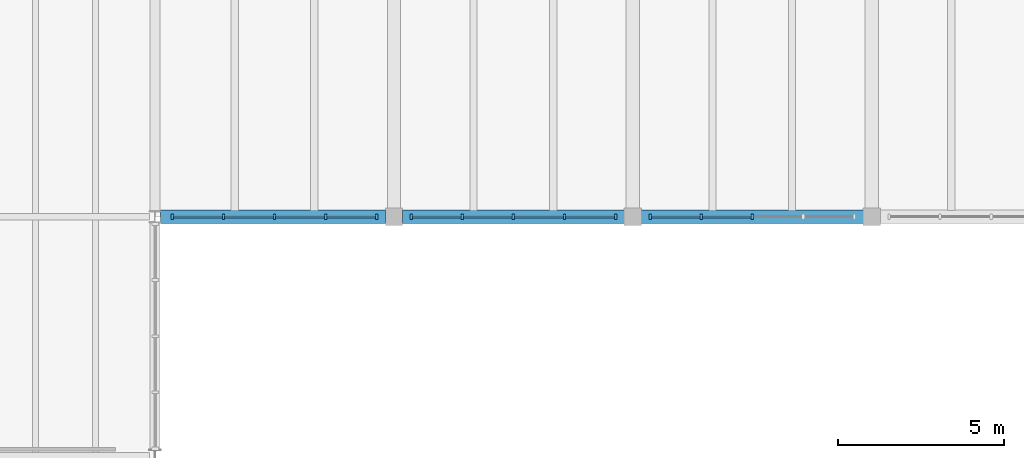
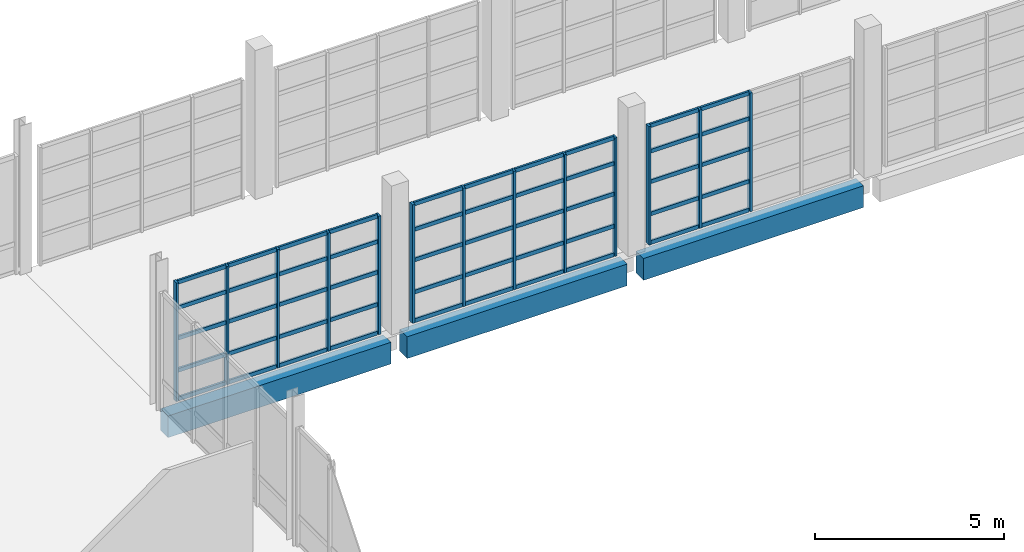
# One storey, part 38 of 77: 63 members, 3 beams, 3 elements without a shape of their own.
"""IFC4 building model written with IfcOpenShell, lengths in metres."""

from ifc_helpers import new_model, si_unit, direction, frame, origin, origin_2d, place, context, subcontext, project, spatial, rectangle, extrude, material, material_profile, profile_set, type_object, element, aggregate, save


model = new_model("IFC4")

# Units and contexts
model_context = context("Model", 3, precision=1e-05, world=origin(), true_north=direction((0.0, 1.0)))
body_context = subcontext(model_context, "Body", "Model", "MODEL_VIEW")
ifc_project = project(units=[si_unit("LENGTHUNIT", "METRE"), si_unit("AREAUNIT", "SQUARE_METRE"), si_unit("VOLUMEUNIT", "CUBIC_METRE"), si_unit("PLANEANGLEUNIT", "RADIAN"), si_unit("MASSUNIT", "GRAM", prefix="KILO")], contexts=[model_context])

# Site, building, storey
site_placement = place(None, origin())
site = spatial("IfcSite", under=ifc_project, at=site_placement, CompositionType="ELEMENT")
building_placement = place(site_placement, origin())
building = spatial("IfcBuilding", under=site, at=building_placement, Name="Qiaolan Assembly House", CompositionType="ELEMENT")
storey_placement = place(building_placement, frame((0.0, 0.0, 5.39990234375)))
storey = spatial("IfcBuildingStorey", under=building, at=storey_placement, Name="L01", CompositionType="ELEMENT", Elevation=5.39990234375)

# Beams
ifc_material_1 = material(Name="Concrete C40/50", Category="concrete")
ifc_material_profile_1 = material_profile(ifc_material_1, rectangle(XDim=0.39990234375, YDim=0.699951171875, at=origin_2d()), Name="RCB 400x700")
ifc_profile_set_1 = profile_set([ifc_material_profile_1], Name="Concrete C40/50")
beam_type = type_object("IfcBeamType", Name="BM-RC-400x700", PredefinedType="BEAM", material=ifc_profile_set_1)
beam_1_placement = place(storey_placement, frame((108.1650390625, 79.199951171875, -0.619873046875), z_axis=(1.0, 0.0, 0.0), x_axis=(0.0, 1.0, 0.0)))
element("IfcBeam", 1, at=beam_1_placement, inside=storey, type_object=beam_type, Name="GB-05 beam BMX-CLN-L01-00-00", PredefinedType="BEAM", context=body_context, shape_type="SweptSolid", body=[
    extrude(rectangle(XDim=0.39990234375, YDim=0.699951171875, at=origin_2d()), origin(), (0.0, 0.0, 1.0), 6.784912109375),
])
beam_2_placement = place(storey_placement, frame((115.449951171875, 79.199951171875, -0.619873046875), z_axis=(1.0, 0.0, 0.0), x_axis=(0.0, 1.0, 0.0)))
element("IfcBeam", 2, at=beam_2_placement, inside=storey, type_object=beam_type, Name="GB-05 beam BMX-CLN-L01-01-00", PredefinedType="BEAM", context=body_context, shape_type="SweptSolid", body=[
    extrude(rectangle(XDim=0.39990234375, YDim=0.699951171875, at=origin_2d()), origin(), (0.0, 0.0, 1.0), 6.699951171875),
])
beam_3_placement = place(storey_placement, frame((122.64990234375, 79.199951171875, -0.619873046875), z_axis=(1.0, 0.0, 0.0), x_axis=(0.0, 1.0, 0.0)))
element("IfcBeam", 3, at=beam_3_placement, inside=storey, type_object=beam_type, Name="GB-05 beam BMX-CLN-L01-02-00", PredefinedType="BEAM", context=body_context, shape_type="SweptSolid", body=[
    extrude(rectangle(XDim=0.39990234375, YDim=0.699951171875, at=origin_2d()), origin(), (0.0, 0.0, 1.0), 6.7001953125),
])

# Curtain wall, members
ifc_material_2 = material(Name="Anodised bronze aluminium", Category="aluminium")
curtain_wall_type = type_object("IfcCurtainWallType", Name="CW-CLOISTER-420", PredefinedType="NOTDEFINED", material=ifc_material_2)
curtain_wall_1_placement = place(storey_placement, origin())
curtain_wall_1 = element("IfcCurtainWall", 4, at=curtain_wall_1_placement, inside=storey, type_object=curtain_wall_type, Name="CW-05 North Cloister court arcade L01-1", PredefinedType="NOTDEFINED")
ifc_material_profile_2 = material_profile(ifc_material_2, rectangle(XDim=0.070068359375, YDim=0.155029296875, at=origin_2d()), Name="MUL 70x155")
ifc_profile_set_2 = profile_set([ifc_material_profile_2], Name="Anodised bronze aluminium")
member_type_1 = type_object("IfcMemberType", Name="CW-CLOISTER-420-MUL", PredefinedType="MULLION", material=ifc_profile_set_2)
member_1_placement = place(storey_placement, frame((108.52001953125, 79.199951171875, 0.0), z_axis=(0.0, 0.0, 1.0), x_axis=(1.0, 0.0, 0.0)))
member_1 = element("IfcMember", 5, at=member_1_placement, type_object=member_type_1, Name="ML-06 mullion CW-CLN-CRT-L01-0-1", PredefinedType="MULLION", context=body_context, shape_type="SweptSolid", body=[
    extrude(rectangle(XDim=0.070068359375, YDim=0.155029296875, at=origin_2d()), origin(), (0.0, 0.0, 1.0), 3.820068359375),
])
member_2_placement = place(storey_placement, frame((110.06005859375, 79.199951171875, 0.0), z_axis=(0.0, 0.0, 1.0), x_axis=(1.0, 0.0, 0.0)))
member_2 = element("IfcMember", 6, at=member_2_placement, type_object=member_type_1, Name="ML-06 mullion CW-CLN-CRT-L01-0-2", PredefinedType="MULLION", context=body_context, shape_type="SweptSolid", body=[
    extrude(rectangle(XDim=0.070068359375, YDim=0.155029296875, at=origin_2d()), origin(), (0.0, 0.0, 1.0), 3.820068359375),
])
member_3_placement = place(storey_placement, frame((111.60009765625, 79.199951171875, 0.0), z_axis=(0.0, 0.0, 1.0), x_axis=(1.0, 0.0, 0.0)))
member_3 = element("IfcMember", 7, at=member_3_placement, type_object=member_type_1, Name="ML-06 mullion CW-CLN-CRT-L01-0-3", PredefinedType="MULLION", context=body_context, shape_type="SweptSolid", body=[
    extrude(rectangle(XDim=0.070068359375, YDim=0.155029296875, at=origin_2d()), origin(), (0.0, 0.0, 1.0), 3.820068359375),
])
member_4_placement = place(storey_placement, frame((113.139892578125, 79.199951171875, 0.0), z_axis=(0.0, 0.0, 1.0), x_axis=(1.0, 0.0, 0.0)))
member_4 = element("IfcMember", 8, at=member_4_placement, type_object=member_type_1, Name="ML-06 mullion CW-CLN-CRT-L01-0-4", PredefinedType="MULLION", context=body_context, shape_type="SweptSolid", body=[
    extrude(rectangle(XDim=0.070068359375, YDim=0.155029296875, at=origin_2d()), origin(), (0.0, 0.0, 1.0), 3.820068359375),
])
member_5_placement = place(storey_placement, frame((114.679931640625, 79.199951171875, 0.0), z_axis=(0.0, 0.0, 1.0), x_axis=(1.0, 0.0, 0.0)))
member_5 = element("IfcMember", 9, at=member_5_placement, type_object=member_type_1, Name="ML-06 mullion CW-CLN-CRT-L01-0-5", PredefinedType="MULLION", context=body_context, shape_type="SweptSolid", body=[
    extrude(rectangle(XDim=0.070068359375, YDim=0.155029296875, at=origin_2d()), origin(), (0.0, 0.0, 1.0), 3.820068359375),
])

curtain_wall_2_placement = place(storey_placement, origin())
curtain_wall_2 = element("IfcCurtainWall", 10, at=curtain_wall_2_placement, inside=storey, type_object=curtain_wall_type, Name="CW-05 North Cloister court arcade L01-2", PredefinedType="NOTDEFINED")
member_6_placement = place(storey_placement, frame((115.719970703125, 79.199951171875, 0.0), z_axis=(0.0, 0.0, 1.0), x_axis=(1.0, 0.0, 0.0)))
member_6 = element("IfcMember", 11, at=member_6_placement, type_object=member_type_1, Name="ML-06 mullion CW-CLN-CRT-L01-1-1", PredefinedType="MULLION", context=body_context, shape_type="SweptSolid", body=[
    extrude(rectangle(XDim=0.070068359375, YDim=0.155029296875, at=origin_2d()), origin(), (0.0, 0.0, 1.0), 3.820068359375),
])
member_7_placement = place(storey_placement, frame((117.260009765625, 79.199951171875, 0.0), z_axis=(0.0, 0.0, 1.0), x_axis=(1.0, 0.0, 0.0)))
member_7 = element("IfcMember", 12, at=member_7_placement, type_object=member_type_1, Name="ML-06 mullion CW-CLN-CRT-L01-1-2", PredefinedType="MULLION", context=body_context, shape_type="SweptSolid", body=[
    extrude(rectangle(XDim=0.070068359375, YDim=0.155029296875, at=origin_2d()), origin(), (0.0, 0.0, 1.0), 3.820068359375),
])
member_8_placement = place(storey_placement, frame((118.800048828125, 79.199951171875, 0.0), z_axis=(0.0, 0.0, 1.0), x_axis=(1.0, 0.0, 0.0)))
member_8 = element("IfcMember", 13, at=member_8_placement, type_object=member_type_1, Name="ML-06 mullion CW-CLN-CRT-L01-1-3", PredefinedType="MULLION", context=body_context, shape_type="SweptSolid", body=[
    extrude(rectangle(XDim=0.070068359375, YDim=0.155029296875, at=origin_2d()), origin(), (0.0, 0.0, 1.0), 3.820068359375),
])
member_9_placement = place(storey_placement, frame((120.340087890625, 79.199951171875, 0.0), z_axis=(0.0, 0.0, 1.0), x_axis=(1.0, 0.0, 0.0)))
member_9 = element("IfcMember", 14, at=member_9_placement, type_object=member_type_1, Name="ML-06 mullion CW-CLN-CRT-L01-1-4", PredefinedType="MULLION", context=body_context, shape_type="SweptSolid", body=[
    extrude(rectangle(XDim=0.070068359375, YDim=0.155029296875, at=origin_2d()), origin(), (0.0, 0.0, 1.0), 3.820068359375),
])
member_10_placement = place(storey_placement, frame((121.8798828125, 79.199951171875, 0.0), z_axis=(0.0, 0.0, 1.0), x_axis=(1.0, 0.0, 0.0)))
member_10 = element("IfcMember", 15, at=member_10_placement, type_object=member_type_1, Name="ML-06 mullion CW-CLN-CRT-L01-1-5", PredefinedType="MULLION", context=body_context, shape_type="SweptSolid", body=[
    extrude(rectangle(XDim=0.070068359375, YDim=0.155029296875, at=origin_2d()), origin(), (0.0, 0.0, 1.0), 3.820068359375),
])

curtain_wall_3_placement = place(storey_placement, origin())
curtain_wall_3 = element("IfcCurtainWall", 16, at=curtain_wall_3_placement, inside=storey, type_object=curtain_wall_type, Name="CW-05 North Cloister court arcade L01-3", PredefinedType="NOTDEFINED")
member_11_placement = place(storey_placement, frame((122.919921875, 79.199951171875, 0.0), z_axis=(0.0, 0.0, 1.0), x_axis=(1.0, 0.0, 0.0)))
member_11 = element("IfcMember", 17, at=member_11_placement, type_object=member_type_1, Name="ML-06 mullion CW-CLN-CRT-L01-2-1", PredefinedType="MULLION", context=body_context, shape_type="SweptSolid", body=[
    extrude(rectangle(XDim=0.070068359375, YDim=0.155029296875, at=origin_2d()), origin(), (0.0, 0.0, 1.0), 3.820068359375),
])
member_12_placement = place(storey_placement, frame((124.4599609375, 79.199951171875, 0.0), z_axis=(0.0, 0.0, 1.0), x_axis=(1.0, 0.0, 0.0)))
member_12 = element("IfcMember", 18, at=member_12_placement, type_object=member_type_1, Name="ML-06 mullion CW-CLN-CRT-L01-2-2", PredefinedType="MULLION", context=body_context, shape_type="SweptSolid", body=[
    extrude(rectangle(XDim=0.070068359375, YDim=0.155029296875, at=origin_2d()), origin(), (0.0, 0.0, 1.0), 3.820068359375),
])
member_13_placement = place(storey_placement, frame((126.0, 79.199951171875, 0.0), z_axis=(0.0, 0.0, 1.0), x_axis=(1.0, 0.0, 0.0)))
member_13 = element("IfcMember", 19, at=member_13_placement, type_object=member_type_1, Name="ML-06 mullion CW-CLN-CRT-L01-2-3", PredefinedType="MULLION", context=body_context, shape_type="SweptSolid", body=[
    extrude(rectangle(XDim=0.070068359375, YDim=0.155029296875, at=origin_2d()), origin(), (0.0, 0.0, 1.0), 3.820068359375),
])

# Member
ifc_material_profile_3 = material_profile(ifc_material_2, rectangle(XDim=0.06201171875, YDim=0.125, at=origin_2d()), Name="TRN 62x125")
ifc_profile_set_3 = profile_set([ifc_material_profile_3], Name="Anodised bronze aluminium")
member_type_2 = type_object("IfcMemberType", Name="CW-CLOISTER-420-TRN", PredefinedType="USERDEFINED", material=ifc_profile_set_3)
member_14_placement = place(storey_placement, frame((108.554931640625, 79.199951171875, 0.030029296875), z_axis=(1.0, 0.0, 0.0), x_axis=(0.0, 1.0, 0.0)))
member_14 = element("IfcMember", 20, at=member_14_placement, type_object=member_type_2, Name="TR-06 transom CW-CLN-CRT-L01-0-1-1", ObjectType="TRANSOM", PredefinedType="USERDEFINED", context=body_context, shape_type="SweptSolid", body=[
    extrude(rectangle(XDim=0.06201171875, YDim=0.125, at=origin_2d()), origin(), (0.0, 0.0, 1.0), 1.469970703125),
])

member_15_placement = place(storey_placement, frame((108.554931640625, 79.199951171875, 0.9501953125), z_axis=(1.0, 0.0, 0.0), x_axis=(0.0, 1.0, 0.0)))
member_15 = element("IfcMember", 21, at=member_15_placement, type_object=member_type_2, Name="TR-06 transom CW-CLN-CRT-L01-0-1-2", ObjectType="TRANSOM", PredefinedType="USERDEFINED", context=body_context, shape_type="SweptSolid", body=[
    extrude(rectangle(XDim=0.06201171875, YDim=0.125, at=origin_2d()), origin(), (0.0, 0.0, 1.0), 1.469970703125),
])

member_16_placement = place(storey_placement, frame((108.554931640625, 79.199951171875, 1.986572265625), z_axis=(1.0, 0.0, 0.0), x_axis=(0.0, 1.0, 0.0)))
member_16 = element("IfcMember", 22, at=member_16_placement, type_object=member_type_2, Name="TR-06 transom CW-CLN-CRT-L01-0-1-3", ObjectType="TRANSOM", PredefinedType="USERDEFINED", context=body_context, shape_type="SweptSolid", body=[
    extrude(rectangle(XDim=0.06201171875, YDim=0.125, at=origin_2d()), origin(), (0.0, 0.0, 1.0), 1.469970703125),
])

member_17_placement = place(storey_placement, frame((108.554931640625, 79.199951171875, 2.97021484375), z_axis=(1.0, 0.0, 0.0), x_axis=(0.0, 1.0, 0.0)))
member_17 = element("IfcMember", 23, at=member_17_placement, type_object=member_type_2, Name="TR-06 transom CW-CLN-CRT-L01-0-1-4", ObjectType="TRANSOM", PredefinedType="USERDEFINED", context=body_context, shape_type="SweptSolid", body=[
    extrude(rectangle(XDim=0.06201171875, YDim=0.125, at=origin_2d()), origin(), (0.0, 0.0, 1.0), 1.469970703125),
])

member_18_placement = place(storey_placement, frame((108.554931640625, 79.199951171875, 3.7900390625), z_axis=(1.0, 0.0, 0.0), x_axis=(0.0, 1.0, 0.0)))
member_18 = element("IfcMember", 24, at=member_18_placement, type_object=member_type_2, Name="TR-06 transom CW-CLN-CRT-L01-0-1-5", ObjectType="TRANSOM", PredefinedType="USERDEFINED", context=body_context, shape_type="SweptSolid", body=[
    extrude(rectangle(XDim=0.06201171875, YDim=0.125, at=origin_2d()), origin(), (0.0, 0.0, 1.0), 1.469970703125),
])

member_19_placement = place(storey_placement, frame((110.094970703125, 79.199951171875, 0.030029296875), z_axis=(1.0, 0.0, 0.0), x_axis=(0.0, 1.0, 0.0)))
member_19 = element("IfcMember", 25, at=member_19_placement, type_object=member_type_2, Name="TR-06 transom CW-CLN-CRT-L01-0-2-1", ObjectType="TRANSOM", PredefinedType="USERDEFINED", context=body_context, shape_type="SweptSolid", body=[
    extrude(rectangle(XDim=0.06201171875, YDim=0.125, at=origin_2d()), origin(), (0.0, 0.0, 1.0), 1.469970703125),
])

member_20_placement = place(storey_placement, frame((110.094970703125, 79.199951171875, 0.9501953125), z_axis=(1.0, 0.0, 0.0), x_axis=(0.0, 1.0, 0.0)))
member_20 = element("IfcMember", 26, at=member_20_placement, type_object=member_type_2, Name="TR-06 transom CW-CLN-CRT-L01-0-2-2", ObjectType="TRANSOM", PredefinedType="USERDEFINED", context=body_context, shape_type="SweptSolid", body=[
    extrude(rectangle(XDim=0.06201171875, YDim=0.125, at=origin_2d()), origin(), (0.0, 0.0, 1.0), 1.469970703125),
])

member_21_placement = place(storey_placement, frame((110.094970703125, 79.199951171875, 1.986572265625), z_axis=(1.0, 0.0, 0.0), x_axis=(0.0, 1.0, 0.0)))
member_21 = element("IfcMember", 27, at=member_21_placement, type_object=member_type_2, Name="TR-06 transom CW-CLN-CRT-L01-0-2-3", ObjectType="TRANSOM", PredefinedType="USERDEFINED", context=body_context, shape_type="SweptSolid", body=[
    extrude(rectangle(XDim=0.06201171875, YDim=0.125, at=origin_2d()), origin(), (0.0, 0.0, 1.0), 1.469970703125),
])

member_22_placement = place(storey_placement, frame((110.094970703125, 79.199951171875, 2.97021484375), z_axis=(1.0, 0.0, 0.0), x_axis=(0.0, 1.0, 0.0)))
member_22 = element("IfcMember", 28, at=member_22_placement, type_object=member_type_2, Name="TR-06 transom CW-CLN-CRT-L01-0-2-4", ObjectType="TRANSOM", PredefinedType="USERDEFINED", context=body_context, shape_type="SweptSolid", body=[
    extrude(rectangle(XDim=0.06201171875, YDim=0.125, at=origin_2d()), origin(), (0.0, 0.0, 1.0), 1.469970703125),
])

member_23_placement = place(storey_placement, frame((110.094970703125, 79.199951171875, 3.7900390625), z_axis=(1.0, 0.0, 0.0), x_axis=(0.0, 1.0, 0.0)))
member_23 = element("IfcMember", 29, at=member_23_placement, type_object=member_type_2, Name="TR-06 transom CW-CLN-CRT-L01-0-2-5", ObjectType="TRANSOM", PredefinedType="USERDEFINED", context=body_context, shape_type="SweptSolid", body=[
    extrude(rectangle(XDim=0.06201171875, YDim=0.125, at=origin_2d()), origin(), (0.0, 0.0, 1.0), 1.469970703125),
])

member_24_placement = place(storey_placement, frame((111.635009765625, 79.199951171875, 0.030029296875), z_axis=(1.0, 0.0, 0.0), x_axis=(0.0, 1.0, 0.0)))
member_24 = element("IfcMember", 30, at=member_24_placement, type_object=member_type_2, Name="TR-06 transom CW-CLN-CRT-L01-0-3-1", ObjectType="TRANSOM", PredefinedType="USERDEFINED", context=body_context, shape_type="SweptSolid", body=[
    extrude(rectangle(XDim=0.06201171875, YDim=0.125, at=origin_2d()), origin(), (0.0, 0.0, 1.0), 1.469970703125),
])

member_25_placement = place(storey_placement, frame((111.635009765625, 79.199951171875, 0.9501953125), z_axis=(1.0, 0.0, 0.0), x_axis=(0.0, 1.0, 0.0)))
member_25 = element("IfcMember", 31, at=member_25_placement, type_object=member_type_2, Name="TR-06 transom CW-CLN-CRT-L01-0-3-2", ObjectType="TRANSOM", PredefinedType="USERDEFINED", context=body_context, shape_type="SweptSolid", body=[
    extrude(rectangle(XDim=0.06201171875, YDim=0.125, at=origin_2d()), origin(), (0.0, 0.0, 1.0), 1.469970703125),
])

member_26_placement = place(storey_placement, frame((111.635009765625, 79.199951171875, 1.986572265625), z_axis=(1.0, 0.0, 0.0), x_axis=(0.0, 1.0, 0.0)))
member_26 = element("IfcMember", 32, at=member_26_placement, type_object=member_type_2, Name="TR-06 transom CW-CLN-CRT-L01-0-3-3", ObjectType="TRANSOM", PredefinedType="USERDEFINED", context=body_context, shape_type="SweptSolid", body=[
    extrude(rectangle(XDim=0.06201171875, YDim=0.125, at=origin_2d()), origin(), (0.0, 0.0, 1.0), 1.469970703125),
])

member_27_placement = place(storey_placement, frame((111.635009765625, 79.199951171875, 2.97021484375), z_axis=(1.0, 0.0, 0.0), x_axis=(0.0, 1.0, 0.0)))
member_27 = element("IfcMember", 33, at=member_27_placement, type_object=member_type_2, Name="TR-06 transom CW-CLN-CRT-L01-0-3-4", ObjectType="TRANSOM", PredefinedType="USERDEFINED", context=body_context, shape_type="SweptSolid", body=[
    extrude(rectangle(XDim=0.06201171875, YDim=0.125, at=origin_2d()), origin(), (0.0, 0.0, 1.0), 1.469970703125),
])

member_28_placement = place(storey_placement, frame((111.635009765625, 79.199951171875, 3.7900390625), z_axis=(1.0, 0.0, 0.0), x_axis=(0.0, 1.0, 0.0)))
member_28 = element("IfcMember", 34, at=member_28_placement, type_object=member_type_2, Name="TR-06 transom CW-CLN-CRT-L01-0-3-5", ObjectType="TRANSOM", PredefinedType="USERDEFINED", context=body_context, shape_type="SweptSolid", body=[
    extrude(rectangle(XDim=0.06201171875, YDim=0.125, at=origin_2d()), origin(), (0.0, 0.0, 1.0), 1.469970703125),
])

member_29_placement = place(storey_placement, frame((113.175048828125, 79.199951171875, 0.030029296875), z_axis=(1.0, 0.0, 0.0), x_axis=(0.0, 1.0, 0.0)))
member_29 = element("IfcMember", 35, at=member_29_placement, type_object=member_type_2, Name="TR-06 transom CW-CLN-CRT-L01-0-4-1", ObjectType="TRANSOM", PredefinedType="USERDEFINED", context=body_context, shape_type="SweptSolid", body=[
    extrude(rectangle(XDim=0.06201171875, YDim=0.125, at=origin_2d()), origin(), (0.0, 0.0, 1.0), 1.469970703125),
])

member_30_placement = place(storey_placement, frame((113.175048828125, 79.199951171875, 0.9501953125), z_axis=(1.0, 0.0, 0.0), x_axis=(0.0, 1.0, 0.0)))
member_30 = element("IfcMember", 36, at=member_30_placement, type_object=member_type_2, Name="TR-06 transom CW-CLN-CRT-L01-0-4-2", ObjectType="TRANSOM", PredefinedType="USERDEFINED", context=body_context, shape_type="SweptSolid", body=[
    extrude(rectangle(XDim=0.06201171875, YDim=0.125, at=origin_2d()), origin(), (0.0, 0.0, 1.0), 1.469970703125),
])

member_31_placement = place(storey_placement, frame((113.175048828125, 79.199951171875, 1.986572265625), z_axis=(1.0, 0.0, 0.0), x_axis=(0.0, 1.0, 0.0)))
member_31 = element("IfcMember", 37, at=member_31_placement, type_object=member_type_2, Name="TR-06 transom CW-CLN-CRT-L01-0-4-3", ObjectType="TRANSOM", PredefinedType="USERDEFINED", context=body_context, shape_type="SweptSolid", body=[
    extrude(rectangle(XDim=0.06201171875, YDim=0.125, at=origin_2d()), origin(), (0.0, 0.0, 1.0), 1.469970703125),
])

member_32_placement = place(storey_placement, frame((113.175048828125, 79.199951171875, 2.97021484375), z_axis=(1.0, 0.0, 0.0), x_axis=(0.0, 1.0, 0.0)))
member_32 = element("IfcMember", 38, at=member_32_placement, type_object=member_type_2, Name="TR-06 transom CW-CLN-CRT-L01-0-4-4", ObjectType="TRANSOM", PredefinedType="USERDEFINED", context=body_context, shape_type="SweptSolid", body=[
    extrude(rectangle(XDim=0.06201171875, YDim=0.125, at=origin_2d()), origin(), (0.0, 0.0, 1.0), 1.469970703125),
])

member_33_placement = place(storey_placement, frame((113.175048828125, 79.199951171875, 3.7900390625), z_axis=(1.0, 0.0, 0.0), x_axis=(0.0, 1.0, 0.0)))
member_33 = element("IfcMember", 39, at=member_33_placement, type_object=member_type_2, Name="TR-06 transom CW-CLN-CRT-L01-0-4-5", ObjectType="TRANSOM", PredefinedType="USERDEFINED", context=body_context, shape_type="SweptSolid", body=[
    extrude(rectangle(XDim=0.06201171875, YDim=0.125, at=origin_2d()), origin(), (0.0, 0.0, 1.0), 1.469970703125),
])

aggregate(curtain_wall_1, [member_1, member_2, member_3, member_4, member_5, member_14, member_15, member_16, member_17, member_18, member_19, member_20, member_21, member_22, member_23, member_24, member_25, member_26, member_27, member_28, member_29, member_30, member_31, member_32, member_33])

member_34_placement = place(storey_placement, frame((115.7548828125, 79.199951171875, 0.030029296875), z_axis=(1.0, 0.0, 0.0), x_axis=(0.0, 1.0, 0.0)))
member_34 = element("IfcMember", 40, at=member_34_placement, type_object=member_type_2, Name="TR-06 transom CW-CLN-CRT-L01-1-1-1", ObjectType="TRANSOM", PredefinedType="USERDEFINED", context=body_context, shape_type="SweptSolid", body=[
    extrude(rectangle(XDim=0.06201171875, YDim=0.125, at=origin_2d()), origin(), (0.0, 0.0, 1.0), 1.47021484375),
])

member_35_placement = place(storey_placement, frame((115.7548828125, 79.199951171875, 0.9501953125), z_axis=(1.0, 0.0, 0.0), x_axis=(0.0, 1.0, 0.0)))
member_35 = element("IfcMember", 41, at=member_35_placement, type_object=member_type_2, Name="TR-06 transom CW-CLN-CRT-L01-1-1-2", ObjectType="TRANSOM", PredefinedType="USERDEFINED", context=body_context, shape_type="SweptSolid", body=[
    extrude(rectangle(XDim=0.06201171875, YDim=0.125, at=origin_2d()), origin(), (0.0, 0.0, 1.0), 1.47021484375),
])

member_36_placement = place(storey_placement, frame((115.7548828125, 79.199951171875, 1.986572265625), z_axis=(1.0, 0.0, 0.0), x_axis=(0.0, 1.0, 0.0)))
member_36 = element("IfcMember", 42, at=member_36_placement, type_object=member_type_2, Name="TR-06 transom CW-CLN-CRT-L01-1-1-3", ObjectType="TRANSOM", PredefinedType="USERDEFINED", context=body_context, shape_type="SweptSolid", body=[
    extrude(rectangle(XDim=0.06201171875, YDim=0.125, at=origin_2d()), origin(), (0.0, 0.0, 1.0), 1.47021484375),
])

member_37_placement = place(storey_placement, frame((115.7548828125, 79.199951171875, 2.97021484375), z_axis=(1.0, 0.0, 0.0), x_axis=(0.0, 1.0, 0.0)))
member_37 = element("IfcMember", 43, at=member_37_placement, type_object=member_type_2, Name="TR-06 transom CW-CLN-CRT-L01-1-1-4", ObjectType="TRANSOM", PredefinedType="USERDEFINED", context=body_context, shape_type="SweptSolid", body=[
    extrude(rectangle(XDim=0.06201171875, YDim=0.125, at=origin_2d()), origin(), (0.0, 0.0, 1.0), 1.47021484375),
])

member_38_placement = place(storey_placement, frame((115.7548828125, 79.199951171875, 3.7900390625), z_axis=(1.0, 0.0, 0.0), x_axis=(0.0, 1.0, 0.0)))
member_38 = element("IfcMember", 44, at=member_38_placement, type_object=member_type_2, Name="TR-06 transom CW-CLN-CRT-L01-1-1-5", ObjectType="TRANSOM", PredefinedType="USERDEFINED", context=body_context, shape_type="SweptSolid", body=[
    extrude(rectangle(XDim=0.06201171875, YDim=0.125, at=origin_2d()), origin(), (0.0, 0.0, 1.0), 1.47021484375),
])

member_39_placement = place(storey_placement, frame((117.294921875, 79.199951171875, 0.030029296875), z_axis=(1.0, 0.0, 0.0), x_axis=(0.0, 1.0, 0.0)))
member_39 = element("IfcMember", 45, at=member_39_placement, type_object=member_type_2, Name="TR-06 transom CW-CLN-CRT-L01-1-2-1", ObjectType="TRANSOM", PredefinedType="USERDEFINED", context=body_context, shape_type="SweptSolid", body=[
    extrude(rectangle(XDim=0.06201171875, YDim=0.125, at=origin_2d()), origin(), (0.0, 0.0, 1.0), 1.469970703125),
])

member_40_placement = place(storey_placement, frame((117.294921875, 79.199951171875, 0.9501953125), z_axis=(1.0, 0.0, 0.0), x_axis=(0.0, 1.0, 0.0)))
member_40 = element("IfcMember", 46, at=member_40_placement, type_object=member_type_2, Name="TR-06 transom CW-CLN-CRT-L01-1-2-2", ObjectType="TRANSOM", PredefinedType="USERDEFINED", context=body_context, shape_type="SweptSolid", body=[
    extrude(rectangle(XDim=0.06201171875, YDim=0.125, at=origin_2d()), origin(), (0.0, 0.0, 1.0), 1.469970703125),
])

member_41_placement = place(storey_placement, frame((117.294921875, 79.199951171875, 1.986572265625), z_axis=(1.0, 0.0, 0.0), x_axis=(0.0, 1.0, 0.0)))
member_41 = element("IfcMember", 47, at=member_41_placement, type_object=member_type_2, Name="TR-06 transom CW-CLN-CRT-L01-1-2-3", ObjectType="TRANSOM", PredefinedType="USERDEFINED", context=body_context, shape_type="SweptSolid", body=[
    extrude(rectangle(XDim=0.06201171875, YDim=0.125, at=origin_2d()), origin(), (0.0, 0.0, 1.0), 1.469970703125),
])

member_42_placement = place(storey_placement, frame((117.294921875, 79.199951171875, 2.97021484375), z_axis=(1.0, 0.0, 0.0), x_axis=(0.0, 1.0, 0.0)))
member_42 = element("IfcMember", 48, at=member_42_placement, type_object=member_type_2, Name="TR-06 transom CW-CLN-CRT-L01-1-2-4", ObjectType="TRANSOM", PredefinedType="USERDEFINED", context=body_context, shape_type="SweptSolid", body=[
    extrude(rectangle(XDim=0.06201171875, YDim=0.125, at=origin_2d()), origin(), (0.0, 0.0, 1.0), 1.469970703125),
])

member_43_placement = place(storey_placement, frame((117.294921875, 79.199951171875, 3.7900390625), z_axis=(1.0, 0.0, 0.0), x_axis=(0.0, 1.0, 0.0)))
member_43 = element("IfcMember", 49, at=member_43_placement, type_object=member_type_2, Name="TR-06 transom CW-CLN-CRT-L01-1-2-5", ObjectType="TRANSOM", PredefinedType="USERDEFINED", context=body_context, shape_type="SweptSolid", body=[
    extrude(rectangle(XDim=0.06201171875, YDim=0.125, at=origin_2d()), origin(), (0.0, 0.0, 1.0), 1.469970703125),
])

member_44_placement = place(storey_placement, frame((118.8349609375, 79.199951171875, 0.030029296875), z_axis=(1.0, 0.0, 0.0), x_axis=(0.0, 1.0, 0.0)))
member_44 = element("IfcMember", 50, at=member_44_placement, type_object=member_type_2, Name="TR-06 transom CW-CLN-CRT-L01-1-3-1", ObjectType="TRANSOM", PredefinedType="USERDEFINED", context=body_context, shape_type="SweptSolid", body=[
    extrude(rectangle(XDim=0.06201171875, YDim=0.125, at=origin_2d()), origin(), (0.0, 0.0, 1.0), 1.469970703125),
])

member_45_placement = place(storey_placement, frame((118.8349609375, 79.199951171875, 0.9501953125), z_axis=(1.0, 0.0, 0.0), x_axis=(0.0, 1.0, 0.0)))
member_45 = element("IfcMember", 51, at=member_45_placement, type_object=member_type_2, Name="TR-06 transom CW-CLN-CRT-L01-1-3-2", ObjectType="TRANSOM", PredefinedType="USERDEFINED", context=body_context, shape_type="SweptSolid", body=[
    extrude(rectangle(XDim=0.06201171875, YDim=0.125, at=origin_2d()), origin(), (0.0, 0.0, 1.0), 1.469970703125),
])

member_46_placement = place(storey_placement, frame((118.8349609375, 79.199951171875, 1.986572265625), z_axis=(1.0, 0.0, 0.0), x_axis=(0.0, 1.0, 0.0)))
member_46 = element("IfcMember", 52, at=member_46_placement, type_object=member_type_2, Name="TR-06 transom CW-CLN-CRT-L01-1-3-3", ObjectType="TRANSOM", PredefinedType="USERDEFINED", context=body_context, shape_type="SweptSolid", body=[
    extrude(rectangle(XDim=0.06201171875, YDim=0.125, at=origin_2d()), origin(), (0.0, 0.0, 1.0), 1.469970703125),
])

member_47_placement = place(storey_placement, frame((118.8349609375, 79.199951171875, 2.97021484375), z_axis=(1.0, 0.0, 0.0), x_axis=(0.0, 1.0, 0.0)))
member_47 = element("IfcMember", 53, at=member_47_placement, type_object=member_type_2, Name="TR-06 transom CW-CLN-CRT-L01-1-3-4", ObjectType="TRANSOM", PredefinedType="USERDEFINED", context=body_context, shape_type="SweptSolid", body=[
    extrude(rectangle(XDim=0.06201171875, YDim=0.125, at=origin_2d()), origin(), (0.0, 0.0, 1.0), 1.469970703125),
])

member_48_placement = place(storey_placement, frame((118.8349609375, 79.199951171875, 3.7900390625), z_axis=(1.0, 0.0, 0.0), x_axis=(0.0, 1.0, 0.0)))
member_48 = element("IfcMember", 54, at=member_48_placement, type_object=member_type_2, Name="TR-06 transom CW-CLN-CRT-L01-1-3-5", ObjectType="TRANSOM", PredefinedType="USERDEFINED", context=body_context, shape_type="SweptSolid", body=[
    extrude(rectangle(XDim=0.06201171875, YDim=0.125, at=origin_2d()), origin(), (0.0, 0.0, 1.0), 1.469970703125),
])

member_49_placement = place(storey_placement, frame((120.375, 79.199951171875, 0.030029296875), z_axis=(1.0, 0.0, 0.0), x_axis=(0.0, 1.0, 0.0)))
member_49 = element("IfcMember", 55, at=member_49_placement, type_object=member_type_2, Name="TR-06 transom CW-CLN-CRT-L01-1-4-1", ObjectType="TRANSOM", PredefinedType="USERDEFINED", context=body_context, shape_type="SweptSolid", body=[
    extrude(rectangle(XDim=0.06201171875, YDim=0.125, at=origin_2d()), origin(), (0.0, 0.0, 1.0), 1.469970703125),
])

member_50_placement = place(storey_placement, frame((120.375, 79.199951171875, 0.9501953125), z_axis=(1.0, 0.0, 0.0), x_axis=(0.0, 1.0, 0.0)))
member_50 = element("IfcMember", 56, at=member_50_placement, type_object=member_type_2, Name="TR-06 transom CW-CLN-CRT-L01-1-4-2", ObjectType="TRANSOM", PredefinedType="USERDEFINED", context=body_context, shape_type="SweptSolid", body=[
    extrude(rectangle(XDim=0.06201171875, YDim=0.125, at=origin_2d()), origin(), (0.0, 0.0, 1.0), 1.469970703125),
])

member_51_placement = place(storey_placement, frame((120.375, 79.199951171875, 1.986572265625), z_axis=(1.0, 0.0, 0.0), x_axis=(0.0, 1.0, 0.0)))
member_51 = element("IfcMember", 57, at=member_51_placement, type_object=member_type_2, Name="TR-06 transom CW-CLN-CRT-L01-1-4-3", ObjectType="TRANSOM", PredefinedType="USERDEFINED", context=body_context, shape_type="SweptSolid", body=[
    extrude(rectangle(XDim=0.06201171875, YDim=0.125, at=origin_2d()), origin(), (0.0, 0.0, 1.0), 1.469970703125),
])

member_52_placement = place(storey_placement, frame((120.375, 79.199951171875, 2.97021484375), z_axis=(1.0, 0.0, 0.0), x_axis=(0.0, 1.0, 0.0)))
member_52 = element("IfcMember", 58, at=member_52_placement, type_object=member_type_2, Name="TR-06 transom CW-CLN-CRT-L01-1-4-4", ObjectType="TRANSOM", PredefinedType="USERDEFINED", context=body_context, shape_type="SweptSolid", body=[
    extrude(rectangle(XDim=0.06201171875, YDim=0.125, at=origin_2d()), origin(), (0.0, 0.0, 1.0), 1.469970703125),
])

member_53_placement = place(storey_placement, frame((120.375, 79.199951171875, 3.7900390625), z_axis=(1.0, 0.0, 0.0), x_axis=(0.0, 1.0, 0.0)))
member_53 = element("IfcMember", 59, at=member_53_placement, type_object=member_type_2, Name="TR-06 transom CW-CLN-CRT-L01-1-4-5", ObjectType="TRANSOM", PredefinedType="USERDEFINED", context=body_context, shape_type="SweptSolid", body=[
    extrude(rectangle(XDim=0.06201171875, YDim=0.125, at=origin_2d()), origin(), (0.0, 0.0, 1.0), 1.469970703125),
])

aggregate(curtain_wall_2, [member_6, member_7, member_8, member_9, member_10, member_34, member_35, member_36, member_37, member_38, member_39, member_40, member_41, member_42, member_43, member_44, member_45, member_46, member_47, member_48, member_49, member_50, member_51, member_52, member_53])

member_54_placement = place(storey_placement, frame((122.955078125, 79.199951171875, 0.030029296875), z_axis=(1.0, 0.0, 0.0), x_axis=(0.0, 1.0, 0.0)))
member_54 = element("IfcMember", 60, at=member_54_placement, type_object=member_type_2, Name="TR-06 transom CW-CLN-CRT-L01-2-1-1", ObjectType="TRANSOM", PredefinedType="USERDEFINED", context=body_context, shape_type="SweptSolid", body=[
    extrude(rectangle(XDim=0.06201171875, YDim=0.125, at=origin_2d()), origin(), (0.0, 0.0, 1.0), 1.469970703125),
])

member_55_placement = place(storey_placement, frame((122.955078125, 79.199951171875, 0.9501953125), z_axis=(1.0, 0.0, 0.0), x_axis=(0.0, 1.0, 0.0)))
member_55 = element("IfcMember", 61, at=member_55_placement, type_object=member_type_2, Name="TR-06 transom CW-CLN-CRT-L01-2-1-2", ObjectType="TRANSOM", PredefinedType="USERDEFINED", context=body_context, shape_type="SweptSolid", body=[
    extrude(rectangle(XDim=0.06201171875, YDim=0.125, at=origin_2d()), origin(), (0.0, 0.0, 1.0), 1.469970703125),
])

member_56_placement = place(storey_placement, frame((122.955078125, 79.199951171875, 1.986572265625), z_axis=(1.0, 0.0, 0.0), x_axis=(0.0, 1.0, 0.0)))
member_56 = element("IfcMember", 62, at=member_56_placement, type_object=member_type_2, Name="TR-06 transom CW-CLN-CRT-L01-2-1-3", ObjectType="TRANSOM", PredefinedType="USERDEFINED", context=body_context, shape_type="SweptSolid", body=[
    extrude(rectangle(XDim=0.06201171875, YDim=0.125, at=origin_2d()), origin(), (0.0, 0.0, 1.0), 1.469970703125),
])

member_57_placement = place(storey_placement, frame((122.955078125, 79.199951171875, 2.97021484375), z_axis=(1.0, 0.0, 0.0), x_axis=(0.0, 1.0, 0.0)))
member_57 = element("IfcMember", 63, at=member_57_placement, type_object=member_type_2, Name="TR-06 transom CW-CLN-CRT-L01-2-1-4", ObjectType="TRANSOM", PredefinedType="USERDEFINED", context=body_context, shape_type="SweptSolid", body=[
    extrude(rectangle(XDim=0.06201171875, YDim=0.125, at=origin_2d()), origin(), (0.0, 0.0, 1.0), 1.469970703125),
])

member_58_placement = place(storey_placement, frame((122.955078125, 79.199951171875, 3.7900390625), z_axis=(1.0, 0.0, 0.0), x_axis=(0.0, 1.0, 0.0)))
member_58 = element("IfcMember", 64, at=member_58_placement, type_object=member_type_2, Name="TR-06 transom CW-CLN-CRT-L01-2-1-5", ObjectType="TRANSOM", PredefinedType="USERDEFINED", context=body_context, shape_type="SweptSolid", body=[
    extrude(rectangle(XDim=0.06201171875, YDim=0.125, at=origin_2d()), origin(), (0.0, 0.0, 1.0), 1.469970703125),
])

member_59_placement = place(storey_placement, frame((124.4951171875, 79.199951171875, 0.030029296875), z_axis=(1.0, 0.0, 0.0), x_axis=(0.0, 1.0, 0.0)))
member_59 = element("IfcMember", 65, at=member_59_placement, type_object=member_type_2, Name="TR-06 transom CW-CLN-CRT-L01-2-2-1", ObjectType="TRANSOM", PredefinedType="USERDEFINED", context=body_context, shape_type="SweptSolid", body=[
    extrude(rectangle(XDim=0.06201171875, YDim=0.125, at=origin_2d()), origin(), (0.0, 0.0, 1.0), 1.469970703125),
])

member_60_placement = place(storey_placement, frame((124.4951171875, 79.199951171875, 0.9501953125), z_axis=(1.0, 0.0, 0.0), x_axis=(0.0, 1.0, 0.0)))
member_60 = element("IfcMember", 66, at=member_60_placement, type_object=member_type_2, Name="TR-06 transom CW-CLN-CRT-L01-2-2-2", ObjectType="TRANSOM", PredefinedType="USERDEFINED", context=body_context, shape_type="SweptSolid", body=[
    extrude(rectangle(XDim=0.06201171875, YDim=0.125, at=origin_2d()), origin(), (0.0, 0.0, 1.0), 1.469970703125),
])

member_61_placement = place(storey_placement, frame((124.4951171875, 79.199951171875, 1.986572265625), z_axis=(1.0, 0.0, 0.0), x_axis=(0.0, 1.0, 0.0)))
member_61 = element("IfcMember", 67, at=member_61_placement, type_object=member_type_2, Name="TR-06 transom CW-CLN-CRT-L01-2-2-3", ObjectType="TRANSOM", PredefinedType="USERDEFINED", context=body_context, shape_type="SweptSolid", body=[
    extrude(rectangle(XDim=0.06201171875, YDim=0.125, at=origin_2d()), origin(), (0.0, 0.0, 1.0), 1.469970703125),
])

member_62_placement = place(storey_placement, frame((124.4951171875, 79.199951171875, 2.97021484375), z_axis=(1.0, 0.0, 0.0), x_axis=(0.0, 1.0, 0.0)))
member_62 = element("IfcMember", 68, at=member_62_placement, type_object=member_type_2, Name="TR-06 transom CW-CLN-CRT-L01-2-2-4", ObjectType="TRANSOM", PredefinedType="USERDEFINED", context=body_context, shape_type="SweptSolid", body=[
    extrude(rectangle(XDim=0.06201171875, YDim=0.125, at=origin_2d()), origin(), (0.0, 0.0, 1.0), 1.469970703125),
])

member_63_placement = place(storey_placement, frame((124.4951171875, 79.199951171875, 3.7900390625), z_axis=(1.0, 0.0, 0.0), x_axis=(0.0, 1.0, 0.0)))
member_63 = element("IfcMember", 69, at=member_63_placement, type_object=member_type_2, Name="TR-06 transom CW-CLN-CRT-L01-2-2-5", ObjectType="TRANSOM", PredefinedType="USERDEFINED", context=body_context, shape_type="SweptSolid", body=[
    extrude(rectangle(XDim=0.06201171875, YDim=0.125, at=origin_2d()), origin(), (0.0, 0.0, 1.0), 1.469970703125),
])

aggregate(curtain_wall_3, [member_11, member_12, member_13, member_54, member_55, member_56, member_57, member_58, member_59, member_60, member_61, member_62, member_63])

save(model, "model.ifc")
